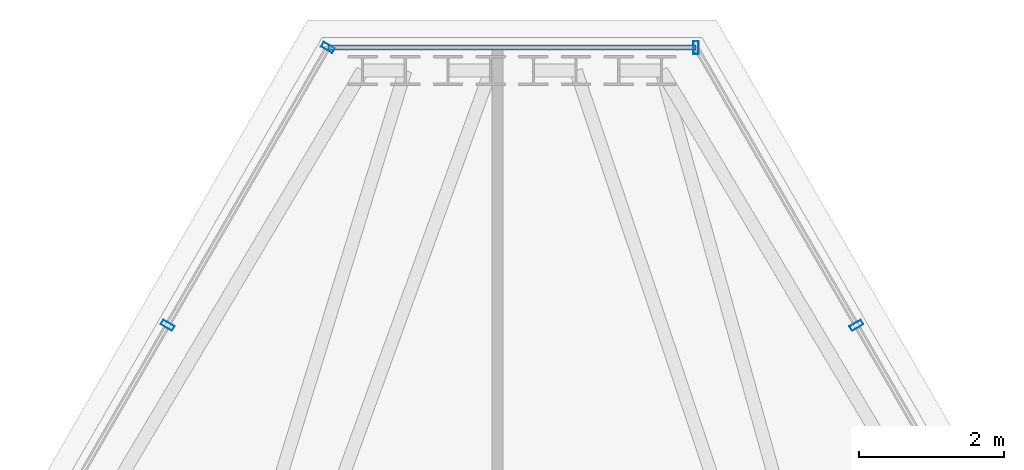
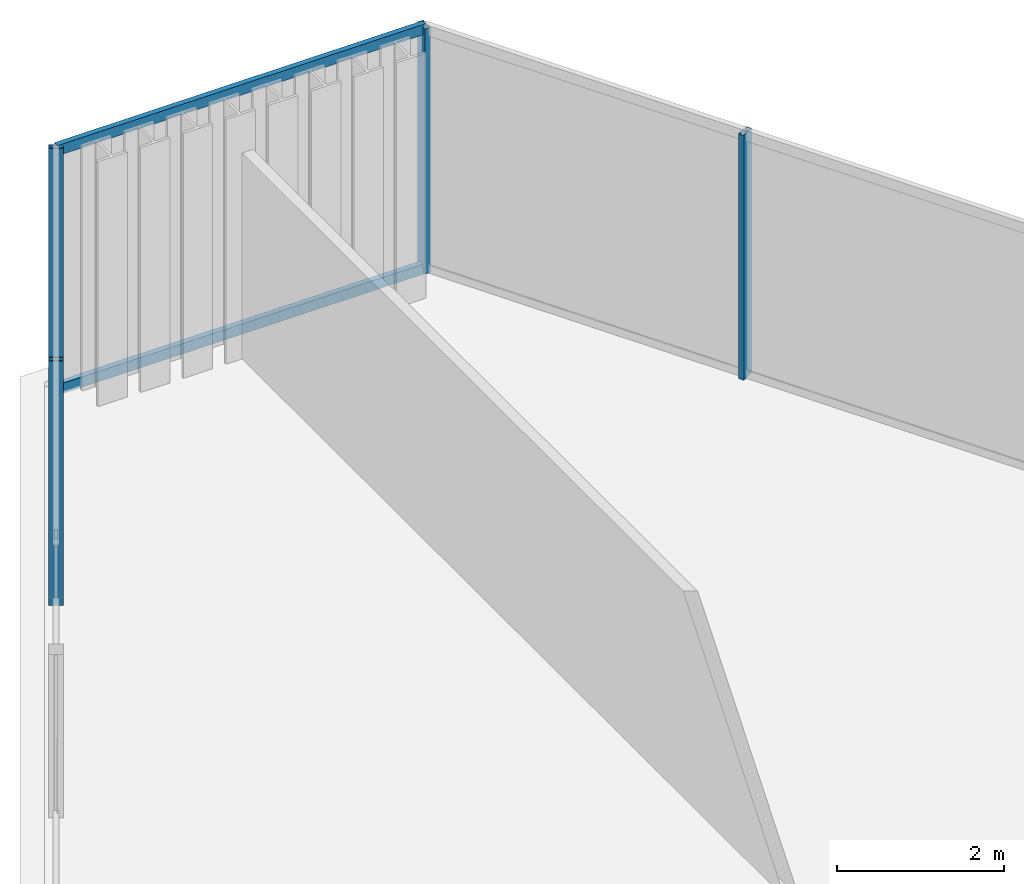
# One storey, part 28 of 35: 6 members, 3 elements without a shape of their own.
"""IFC4 building model written with IfcOpenShell, lengths in metres."""

from ifc_helpers import new_model, si_unit, direction, frame, origin, origin_2d, place, context, subcontext, project, spatial, hollow_rectangle, extrude, material, layer, layer_set, material_profile, profile_set, type_object, element, aggregate, save


model = new_model("IFC4")

# Units and contexts
model_context = context("Model", 3, precision=1e-05, world=origin(), true_north=direction((0.0, 1.0)))
body_context = subcontext(model_context, "Body", "Model", "MODEL_VIEW")
ifc_project = project(units=[si_unit("LENGTHUNIT", "METRE"), si_unit("AREAUNIT", "SQUARE_METRE"), si_unit("VOLUMEUNIT", "CUBIC_METRE"), si_unit("PLANEANGLEUNIT", "RADIAN"), si_unit("MASSUNIT", "GRAM", prefix="KILO")], contexts=[model_context])

# Site, building, storey
site_placement = place(None, origin())
site = spatial("IfcSite", under=ifc_project, at=site_placement, CompositionType="ELEMENT")
building_placement = place(site_placement, origin())
building = spatial("IfcBuilding", under=site, at=building_placement, Name="Ndaravel Arena Tower", CompositionType="ELEMENT")
storey_placement = place(building_placement, frame((0.0, 0.0, 271.199951171875)))
storey = spatial("IfcBuildingStorey", under=building, at=storey_placement, Name="L66", CompositionType="ELEMENT", Elevation=271.199951171875)

# Curtain wall, member
ifc_material_1 = material(Name="Aluminium", Category="aluminium")
ifc_layer_1 = layer(ifc_material_1, 0.179931640625)
ifc_layer_set_1 = layer_set([ifc_layer_1], Name="Aluminium")
curtain_wall_type_1 = type_object("IfcCurtainWallType", Name="CW-SYS-03", PredefinedType="NOTDEFINED", material=ifc_layer_set_1)
curtain_wall_1_placement = place(storey_placement, origin())
curtain_wall_1 = element("IfcCurtainWall", 1, at=curtain_wall_1_placement, inside=storey, type_object=curtain_wall_type_1, Name="L66 Faceted Crystal Curtain Wall CW-L66-E03", PredefinedType="NOTDEFINED")
ifc_material_2 = material(Name="Aluminium", Category="aluminium")
ifc_material_profile_1 = material_profile(ifc_material_2, hollow_rectangle(XDim=0.074951171875, YDim=0.179931640625, WallThickness=0.00390625, at=origin_2d()), Name="CW MULLION 75x180x4")
ifc_profile_set_1 = profile_set([ifc_material_profile_1], Name="Aluminium")
member_type_1 = type_object("IfcMemberType", Name="MEM-CW-MUL180", PredefinedType="MULLION", material=ifc_profile_set_1)
member_1_placement = place(storey_placement, frame((46.762451171875, 40.296875, 0.0), z_axis=(0.0, 0.0, 1.0), x_axis=(-0.5, 0.866025403784, 0.0)))
member_1 = element("IfcMember", 2, at=member_1_placement, type_object=member_type_1, Name="CW-L66-E03 Mullion 08", PredefinedType="MULLION", context=body_context, shape_type="SweptSolid", body=[
    extrude(hollow_rectangle(XDim=0.074951171875, YDim=0.179931640625, WallThickness=0.00390625, at=origin_2d()), origin(), (0.0, 0.0, 1.0), 3.580078125),
])
aggregate(curtain_wall_1, [member_1])

ifc_material_3 = material(Name="Aluminium", Category="aluminium")
ifc_layer_2 = layer(ifc_material_3, 0.179931640625)
ifc_layer_set_2 = layer_set([ifc_layer_2], Name="Aluminium")
curtain_wall_type_2 = type_object("IfcCurtainWallType", Name="CW-SYS-01", PredefinedType="NOTDEFINED", material=ifc_layer_set_2)
curtain_wall_2_placement = place(storey_placement, origin())
curtain_wall_2 = element("IfcCurtainWall", 3, at=curtain_wall_2_placement, inside=storey, type_object=curtain_wall_type_2, Name="L66 Faceted Crystal Curtain Wall CW-L66-E04", PredefinedType="NOTDEFINED")
member_2_placement = place(storey_placement, frame((44.544921875, 44.137939453125, 0.0), z_axis=(0.0, 0.0, 1.0), x_axis=(-1.0, 0.0, 0.0)))
member_2 = element("IfcMember", 4, at=member_2_placement, type_object=member_type_1, Name="CW-L66-E04 Mullion 00", PredefinedType="MULLION", context=body_context, shape_type="SweptSolid", body=[
    extrude(hollow_rectangle(XDim=0.074951171875, YDim=0.179931640625, WallThickness=0.00390625, at=origin_2d()), origin(), (0.0, 0.0, 1.0), 3.580078125),
])

# Curtain wall, members
curtain_wall_3_placement = place(storey_placement, origin())
curtain_wall_3 = element("IfcCurtainWall", 5, at=curtain_wall_3_placement, inside=storey, type_object=curtain_wall_type_1, Name="L66 Faceted Crystal Curtain Wall CW-L66-E05", PredefinedType="NOTDEFINED")
member_3_placement = place(storey_placement, frame((39.455078125, 44.137939453125, 0.0), z_axis=(0.0, 0.0, 1.0), x_axis=(-0.5, -0.866025403784, 0.0)))
member_3 = element("IfcMember", 6, at=member_3_placement, type_object=member_type_1, Name="CW-L66-E05 Mullion 00", PredefinedType="MULLION", context=body_context, shape_type="SweptSolid", body=[
    extrude(hollow_rectangle(XDim=0.074951171875, YDim=0.179931640625, WallThickness=0.00390625, at=origin_2d()), origin(), (0.0, 0.0, 1.0), 3.580078125),
])
member_4_placement = place(storey_placement, frame((37.237548828125, 40.296875, 0.0), z_axis=(0.0, 0.0, 1.0), x_axis=(-0.5, -0.866025403784, 0.0)))
member_4 = element("IfcMember", 7, at=member_4_placement, type_object=member_type_1, Name="CW-L66-E05 Mullion 01", PredefinedType="MULLION", context=body_context, shape_type="SweptSolid", body=[
    extrude(hollow_rectangle(XDim=0.074951171875, YDim=0.179931640625, WallThickness=0.00390625, at=origin_2d()), origin(), (0.0, 0.0, 1.0), 3.580078125),
])
aggregate(curtain_wall_3, [member_3, member_4])

# Member
ifc_material_4 = material(Name="Aluminium", Category="aluminium")
ifc_material_profile_2 = material_profile(ifc_material_4, hollow_rectangle(XDim=0.074951171875, YDim=0.14990234375, WallThickness=0.00390625, at=origin_2d()), Name="CW TRANSOM 75x150x4")
ifc_profile_set_2 = profile_set([ifc_material_profile_2], Name="Aluminium")
member_type_2 = type_object("IfcMemberType", Name="MEM-CW-TRN150", PredefinedType="USERDEFINED", material=ifc_profile_set_2)
member_5_placement = place(storey_placement, frame((44.544921875, 44.137939453125, 0.0400390625), z_axis=(-1.0, 0.0, 0.0), x_axis=(0.0, -1.0, 0.0)))
member_5 = element("IfcMember", 8, at=member_5_placement, type_object=member_type_2, Name="CW-L66-E04 Transom 01", ObjectType="TRANSOM", PredefinedType="USERDEFINED", context=body_context, shape_type="SweptSolid", body=[
    extrude(hollow_rectangle(XDim=0.074951171875, YDim=0.14990234375, WallThickness=0.00390625, at=origin_2d()), origin(), (0.0, 0.0, 1.0), 5.08984375),
])

member_6_placement = place(storey_placement, frame((44.544921875, 44.137939453125, 3.5400390625), z_axis=(-1.0, 0.0, 0.0), x_axis=(0.0, -1.0, 0.0)))
member_6 = element("IfcMember", 9, at=member_6_placement, type_object=member_type_2, Name="CW-L66-E04 Transom 02", ObjectType="TRANSOM", PredefinedType="USERDEFINED", context=body_context, shape_type="SweptSolid", body=[
    extrude(hollow_rectangle(XDim=0.074951171875, YDim=0.14990234375, WallThickness=0.00390625, at=origin_2d()), origin(), (0.0, 0.0, 1.0), 5.08984375),
])

aggregate(curtain_wall_2, [member_2, member_5, member_6])

save(model, "model.ifc")
